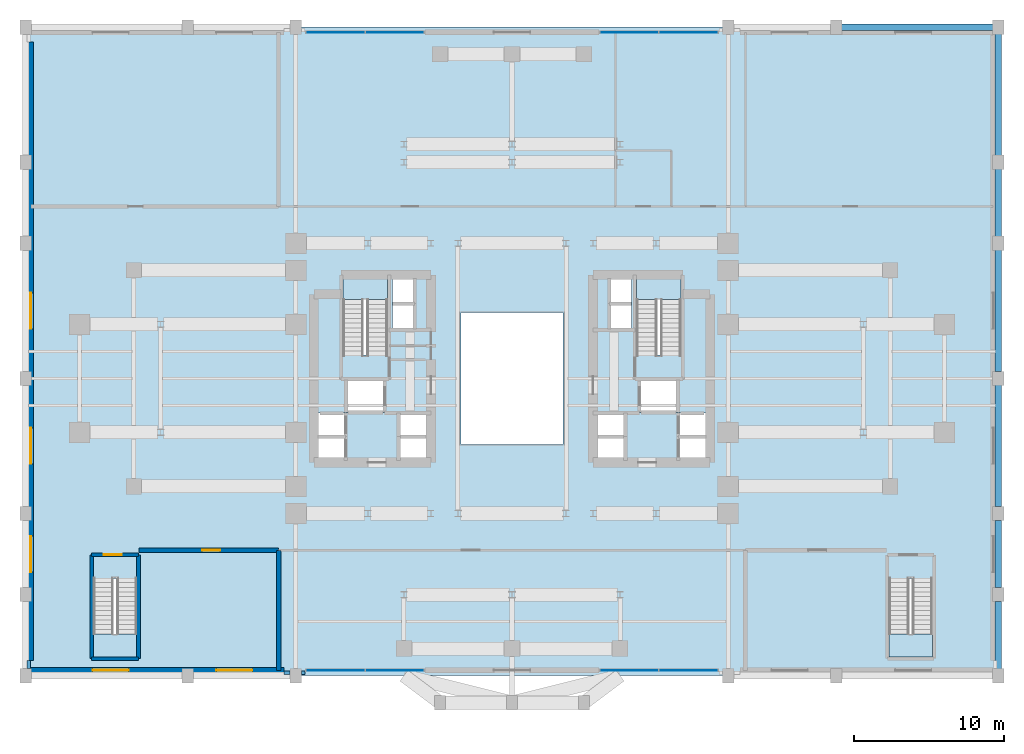
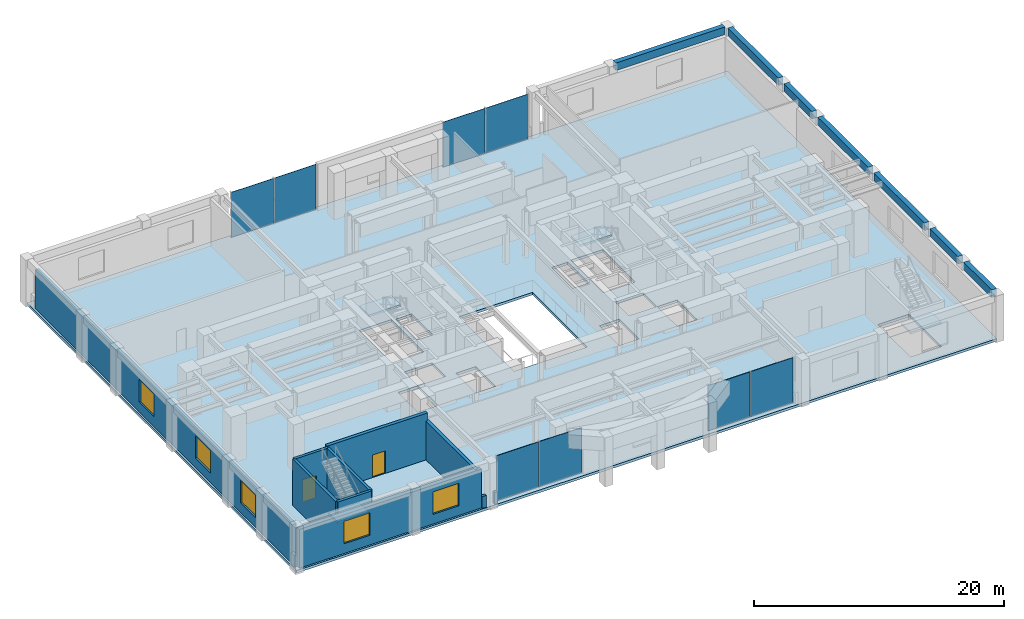
# One storey, part 9 of 14: 11 walls, 8 plates, 7 beams, 5 slabs, 5 windows, 2 doors, 7 openings, 8 elements without a shape of their own.
"""IFC4 building model written with IfcOpenShell, lengths in metres."""

from ifc_helpers import new_model, si_unit, direction, frame, frame_2d, origin, origin_2d, place, context, subcontext, project, spatial, polyline, rectangle, outline, extrude, source, transform, mapped, material, layer, layer_set, material_profile, profile_set, type_object, element, fill, aggregate, save


model = new_model("IFC4")

# Units and contexts
model_context = context("Model", 3, precision=1e-05, world=origin(), true_north=direction((0.0, 1.0)))
body_context = subcontext(model_context, "Body", "Model", "MODEL_VIEW")
ifc_project = project(units=[si_unit("LENGTHUNIT", "METRE"), si_unit("AREAUNIT", "SQUARE_METRE"), si_unit("VOLUMEUNIT", "CUBIC_METRE"), si_unit("PLANEANGLEUNIT", "RADIAN"), si_unit("MASSUNIT", "GRAM", prefix="KILO")], contexts=[model_context])

# Site, building, storey
site_placement = place(None, origin())
site = spatial("IfcSite", under=ifc_project, at=site_placement, CompositionType="ELEMENT")
building_placement = place(site_placement, origin())
building = spatial("IfcBuilding", under=site, at=building_placement, Name="Keilestroom Media Tower", CompositionType="ELEMENT")
storey_placement = place(building_placement, frame((0.0, 0.0, 15.60009765625)))
storey = spatial("IfcBuildingStorey", under=building, at=storey_placement, Name="L03", CompositionType="ELEMENT", Elevation=15.60009765625)

# Beams
ifc_material_1 = material(Name="Precast concrete C40/50", Category="concrete")
ifc_material_profile = material_profile(ifc_material_1, rectangle(XDim=0.449951171875, YDim=0.75, at=origin_2d()), Name="PC 450x750")
ifc_profile_set = profile_set([ifc_material_profile], Name="Precast concrete C40/50")
beam_type = type_object("IfcBeamType", Name="Perimeter-Spandrel-Beam-PC-450x750", PredefinedType="SPANDREL", material=ifc_profile_set)
shared_shape_1 = source(origin(), body_context, "Body", "SweptSolid", [
    extrude(rectangle(XDim=0.449951171875, YDim=0.75, at=origin_2d()), origin(), (0.0, 0.0, 1.0), 10.08984375),
])
beam_1_placement = place(storey_placement, frame((21.955078125, 23.39990234375, 4.1748046875), z_axis=(1.0, 0.0, 0.0), x_axis=(0.0, 1.0, 0.0)))
element("IfcBeam", 1, at=beam_1_placement, inside=storey, type_object=beam_type, Name="L03 Beam SPB-1 BM-L03-EW-044", PredefinedType="SPANDREL", context=body_context, shape_type="MappedRepresentation", body=[
    mapped(shared_shape_1, transform((0.0, 0.0, 0.0), x_axis=(1.0, 0.0, 0.0), y_axis=(0.0, 1.0, 0.0), z_axis=(0.0, 0.0, 1.0), scale=1.0)),
])
shared_shape_2 = source(origin(), body_context, "Body", "SweptSolid", [
    extrude(rectangle(XDim=0.449951171875, YDim=0.75, at=origin_2d()), origin(), (0.0, 0.0, 1.0), 4.489990234375),
])
for number, where, z_axis, x_axis, name in (
    (2, (32.39990234375, -19.344970703125, 4.1748046875), (0.0, 1.0, 0.0), (-1.0, 0.0, 0.0), "L03 Beam SPB-1 BM-L03-NS-085"),
    (3, (32.39990234375, -13.945068359375, 4.1748046875), (0.0, 1.0, 0.0), (-1.0, 0.0, 0.0), "L03 Beam SPB-1 BM-L03-NS-086"),
    (4, (32.39990234375, 9.455078125, 4.1748046875), (0.0, 1.0, 0.0), (-1.0, 0.0, 0.0), "L03 Beam SPB-1 BM-L03-NS-089"),
):
    element("IfcBeam", number, at=place(storey_placement, frame(where, z_axis=z_axis, x_axis=x_axis)), inside=storey, type_object=beam_type, Name=name, PredefinedType="SPANDREL", context=body_context, shape_type="MappedRepresentation", body=[
        mapped(shared_shape_2, transform((0.0, 0.0, 0.0), x_axis=(1.0, 0.0, 0.0), y_axis=(0.0, 1.0, 0.0), z_axis=(0.0, 0.0, 1.0), scale=1.0)),
    ])
shared_shape_3 = source(origin(), body_context, "Body", "SweptSolid", [
    extrude(rectangle(XDim=0.449951171875, YDim=0.75, at=origin_2d()), origin(), (0.0, 0.0, 1.0), 8.08984375),
])
for number, where, z_axis, x_axis, name in (
    (5, (32.39990234375, -8.544921875, 4.1748046875), (0.0, 1.0, 0.0), (-1.0, 0.0, 0.0), "L03 Beam SPB-1 BM-L03-NS-087"),
    (6, (32.39990234375, 0.455078125, 4.1748046875), (0.0, 1.0, 0.0), (-1.0, 0.0, 0.0), "L03 Beam SPB-1 BM-L03-NS-088"),
):
    element("IfcBeam", number, at=place(storey_placement, frame(where, z_axis=z_axis, x_axis=x_axis)), inside=storey, type_object=beam_type, Name=name, PredefinedType="SPANDREL", context=body_context, shape_type="MappedRepresentation", body=[
        mapped(shared_shape_3, transform((0.0, 0.0, 0.0), x_axis=(1.0, 0.0, 0.0), y_axis=(0.0, 1.0, 0.0), z_axis=(0.0, 0.0, 1.0), scale=1.0)),
    ])
shared_shape_4 = source(origin(), body_context, "Body", "SweptSolid", [
    extrude(rectangle(XDim=0.449951171875, YDim=0.75, at=origin_2d()), origin(), (0.0, 0.0, 1.0), 8.090087890625),
])
beam_2_placement = place(storey_placement, frame((32.39990234375, 14.85498046875, 4.1748046875), z_axis=(0.0, 1.0, 0.0), x_axis=(-1.0, 0.0, 0.0)))
element("IfcBeam", 7, at=beam_2_placement, inside=storey, type_object=beam_type, Name="L03 Beam SPB-1 BM-L03-NS-090", PredefinedType="SPANDREL", context=body_context, shape_type="MappedRepresentation", body=[
    mapped(shared_shape_4, transform((0.0, 0.0, 0.0), x_axis=(1.0, 0.0, 0.0), y_axis=(0.0, 1.0, 0.0), z_axis=(0.0, 0.0, 1.0), scale=1.0)),
])

# Slab
ifc_material_2 = material(Name="Concrete C50/60", Category="concrete")
ifc_layer_1 = layer(ifc_material_2, 0.25)
ifc_layer_set_1 = layer_set([ifc_layer_1], Name="Concrete C50/60")
slab_type_1 = type_object("IfcSlabType", Name="Composite-Floor-Slab-250", PredefinedType="FLOOR", material=ifc_layer_set_1)
slab_1_placement = place(storey_placement, frame((0.0, 0.0, -0.25)))
element("IfcSlab", 8, at=slab_1_placement, inside=storey, type_object=slab_type_1, Name="L03 Structural Composite Floor Slab", PredefinedType="FLOOR", context=body_context, shape_type="SweptSolid", body=[
    extrude(outline(polyline([(-32.39990234375, -19.800048828125), (32.39990234375, -19.800048828125), (32.39990234375, 23.39990234375), (-32.39990234375, 23.39990234375), (-32.39990234375, -19.800048828125)]), holes=[polyline([(-27.8798828125, -18.550048828125), (-27.8798828125, -13.3349609375), (-25.0, -13.3349609375), (-25.0, -18.550048828125), (-27.8798828125, -18.550048828125)]), polyline([(-12.919921875, -5.47998046875), (-12.919921875, -2.320068359375), (-11.080078125, -2.320068359375), (-11.080078125, -5.47998046875), (-12.919921875, -5.47998046875)]), polyline([(-11.260009765625, 6.760009765625), (-8.300048828125, 6.760009765625), (-8.300048828125, 1.544921875), (-11.260009765625, 1.544921875), (-11.260009765625, 6.760009765625)]), polyline([(-11.050048828125, -2.280029296875), (-11.050048828125, -0.10009765625), (-8.47998046875, -0.10009765625), (-8.47998046875, -2.280029296875), (-11.050048828125, -2.280029296875)]), polyline([(-7.949951171875, 6.64990234375), (-6.47998046875, 6.64990234375), (-6.47998046875, 3.300048828125), (-7.949951171875, 3.300048828125), (-7.949951171875, 6.64990234375)]), polyline([(-5.719970703125, -5.47998046875), (-7.56005859375, -5.47998046875), (-7.56005859375, -2.320068359375), (-5.719970703125, -2.320068359375), (-5.719970703125, -5.47998046875)]), polyline([(-3.39990234375, -4.39990234375), (-3.39990234375, 4.39990234375), (3.39990234375, 4.39990234375), (3.39990234375, -4.39990234375), (-3.39990234375, -4.39990234375)]), polyline([(7.56005859375, -2.320068359375), (7.56005859375, -5.47998046875), (5.719970703125, -5.47998046875), (5.719970703125, -2.320068359375), (7.56005859375, -2.320068359375)]), polyline([(7.949951171875, 6.64990234375), (7.949951171875, 3.300048828125), (6.47998046875, 3.300048828125), (6.47998046875, 6.64990234375), (7.949951171875, 6.64990234375)]), polyline([(8.300048828125, 6.760009765625), (11.260009765625, 6.760009765625), (11.260009765625, 1.544921875), (8.300048828125, 1.544921875), (8.300048828125, 6.760009765625)]), polyline([(8.47998046875, -2.280029296875), (8.47998046875, -0.10009765625), (11.050048828125, -0.10009765625), (11.050048828125, -2.280029296875), (8.47998046875, -2.280029296875)]), polyline([(11.080078125, -2.320068359375), (12.919921875, -2.320068359375), (12.919921875, -5.47998046875), (11.080078125, -5.47998046875), (11.080078125, -2.320068359375)]), polyline([(25.1201171875, -18.550048828125), (25.1201171875, -13.3349609375), (28.0, -13.3349609375), (28.0, -18.550048828125), (25.1201171875, -18.550048828125)])]), origin(), (0.0, 0.0, 1.0), 0.25),
])

# Stair, slab
ifc_material_3 = material(Name="Concrete C45/55", Category="concrete")
stair_type_1 = type_object("IfcStairType", Name="Enclosed-Dog-Leg-Stair-ST-CORE", PredefinedType="HALF_TURN_STAIR", material=ifc_material_3)
stair_1_placement = place(storey_placement, origin())
stair_1 = element("IfcStair", 9, at=stair_1_placement, inside=storey, type_object=stair_type_1, Name="L03 West Core Escape Stair ST-1", PredefinedType="HALF_TURN_STAIR")
ifc_layer_2 = layer(ifc_material_3, 0.199951171875)
ifc_layer_set_2 = layer_set([ifc_layer_2], Name="Concrete C45/55")
slab_type_2 = type_object("IfcSlabType", Name="Stair-Intermediate-And-Top-Landing-Slab-200", PredefinedType="LANDING", material=ifc_layer_set_2)
slab_2_placement = place(storey_placement, frame((0.0, 0.0, 2.199951171875)))
slab_2 = element("IfcSlab", 10, at=slab_2_placement, type_object=slab_type_2, Name="ST-1 landing 1", PredefinedType="LANDING", context=body_context, shape_type="SweptSolid", body=[
    extrude(outline(polyline([(-8.300048828125, 5.243896484375), (-8.300048828125, 6.760009765625), (-11.260009765625, 6.760009765625), (-11.260009765625, 5.243896484375), (-8.300048828125, 5.243896484375)])), origin(), (0.0, 0.0, 1.0), 0.199951171875),
])
aggregate(stair_1, [slab_2])

stair_2_placement = place(storey_placement, origin())
stair_2 = element("IfcStair", 11, at=stair_2_placement, inside=storey, type_object=stair_type_1, Name="L03 East Core Escape Stair ST-2", PredefinedType="HALF_TURN_STAIR")
slab_3_placement = place(storey_placement, frame((0.0, 0.0, 2.199951171875)))
slab_3 = element("IfcSlab", 12, at=slab_3_placement, type_object=slab_type_2, Name="ST-2 landing 1", PredefinedType="LANDING", context=body_context, shape_type="SweptSolid", body=[
    extrude(outline(polyline([(11.260009765625, 5.243896484375), (11.260009765625, 6.760009765625), (8.300048828125, 6.760009765625), (8.300048828125, 5.243896484375), (11.260009765625, 5.243896484375)])), origin(), (0.0, 0.0, 1.0), 0.199951171875),
])
aggregate(stair_2, [slab_3])

stair_type_2 = type_object("IfcStairType", Name="Enclosed-Dog-Leg-Stair-ST-POD", PredefinedType="HALF_TURN_STAIR", material=ifc_material_3)
stair_3_placement = place(storey_placement, origin())
stair_3 = element("IfcStair", 13, at=stair_3_placement, inside=storey, type_object=stair_type_2, Name="L03 Podium West Studio Escape Stair ST-3", PredefinedType="HALF_TURN_STAIR")
slab_4_placement = place(storey_placement, frame((0.0, 0.0, 2.199951171875)))
slab_4 = element("IfcSlab", 14, at=slab_4_placement, type_object=slab_type_2, Name="ST-3 landing 1", PredefinedType="LANDING", context=body_context, shape_type="SweptSolid", body=[
    extrude(outline(polyline([(-27.8798828125, -17.033935546875), (-27.8798828125, -18.550048828125), (-25.0, -18.550048828125), (-25.0, -17.033935546875), (-27.8798828125, -17.033935546875)])), origin(), (0.0, 0.0, 1.0), 0.199951171875),
])
aggregate(stair_3, [slab_4])

stair_4_placement = place(storey_placement, origin())
stair_4 = element("IfcStair", 15, at=stair_4_placement, inside=storey, type_object=stair_type_2, Name="L03 Podium East Studio Escape Stair ST-4", PredefinedType="HALF_TURN_STAIR")
slab_5_placement = place(storey_placement, frame((0.0, 0.0, 2.199951171875)))
slab_5 = element("IfcSlab", 16, at=slab_5_placement, type_object=slab_type_2, Name="ST-4 landing 1", PredefinedType="LANDING", context=body_context, shape_type="SweptSolid", body=[
    extrude(outline(polyline([(25.1201171875, -17.033935546875), (25.1201171875, -18.550048828125), (28.0, -18.550048828125), (28.0, -17.033935546875), (25.1201171875, -17.033935546875)])), origin(), (0.0, 0.0, 1.0), 0.199951171875),
])
aggregate(stair_4, [slab_5])

# Curtain wall, plates
ifc_material_4 = material(Name="Anodised Aluminium Alloy", Category="aluminium")
curtain_wall_type = type_object("IfcCurtainWallType", Name="Unitised-Curtain-Wall-CW-5", PredefinedType="NOTDEFINED", material=ifc_material_4)
curtain_wall_1_placement = place(storey_placement, origin())
curtain_wall_1 = element("IfcCurtainWall", 17, at=curtain_wall_1_placement, inside=storey, type_object=curtain_wall_type, Name="L03 Curtain Wall CW-5 CW-L03-S-ATR", PredefinedType="NOTDEFINED")
ifc_material_5 = material(Name="Acoustic Laminated Low-Iron Glazing", Category="glass")
ifc_layer_3 = layer(ifc_material_5, 0.0400390625)
ifc_layer_set_3 = layer_set([ifc_layer_3], Name="Acoustic Laminated Low-Iron Glazing")
plate_type = type_object("IfcPlateType", Name="Insulated-Curtain-Wall-Glazing-Panel-CW-5", PredefinedType="CURTAIN_PANEL", material=ifc_layer_set_3)
shared_shape_5 = source(origin(), body_context, "Body", "SweptSolid", [
    extrude(rectangle(XDim=3.89306640625, YDim=0.0400390625, at=origin_2d()), origin(), (0.0, 0.0, 1.0), 4.404052734375),
])
plate_1_placement = place(storey_placement, frame((-11.767578125, -19.449951171875, 0.07275390625), z_axis=(0.0, 0.0, 1.0), x_axis=(1.0, 0.0, 0.0)))
plate_1 = element("IfcPlate", 18, at=plate_1_placement, type_object=plate_type, Name="CW-5 Unitised Glazing 00", PredefinedType="CURTAIN_PANEL", context=body_context, shape_type="MappedRepresentation", body=[
    mapped(shared_shape_5, transform((0.0, 0.0, 0.0), x_axis=(1.0, 0.0, 0.0), y_axis=(0.0, 1.0, 0.0), z_axis=(0.0, 0.0, 1.0), scale=1.0)),
])
plate_2_placement = place(storey_placement, frame((-7.8125, -19.449951171875, 0.07275390625), z_axis=(0.0, 0.0, 1.0), x_axis=(1.0, 0.0, 0.0)))
plate_2 = element("IfcPlate", 19, at=plate_2_placement, type_object=plate_type, Name="CW-5 Unitised Glazing 01", PredefinedType="CURTAIN_PANEL", context=body_context, shape_type="MappedRepresentation", body=[
    mapped(shared_shape_5, transform((0.0, 0.0, 0.0), x_axis=(1.0, 0.0, 0.0), y_axis=(0.0, 1.0, 0.0), z_axis=(0.0, 0.0, 1.0), scale=1.0)),
])
aggregate(curtain_wall_1, [plate_1, plate_2])

curtain_wall_2_placement = place(storey_placement, origin())
curtain_wall_2 = element("IfcCurtainWall", 20, at=curtain_wall_2_placement, inside=storey, type_object=curtain_wall_type, Name="L03 Curtain Wall CW-5 CW-L03-S-ATE", PredefinedType="NOTDEFINED")
plate_3_placement = place(storey_placement, frame((7.8125, -19.449951171875, 0.07275390625), z_axis=(0.0, 0.0, 1.0), x_axis=(1.0, 0.0, 0.0)))
plate_3 = element("IfcPlate", 21, at=plate_3_placement, type_object=plate_type, Name="CW-5 Unitised Glazing 00", PredefinedType="CURTAIN_PANEL", context=body_context, shape_type="MappedRepresentation", body=[
    mapped(shared_shape_5, transform((0.0, 0.0, 0.0), x_axis=(1.0, 0.0, 0.0), y_axis=(0.0, 1.0, 0.0), z_axis=(0.0, 0.0, 1.0), scale=1.0)),
])
plate_4_placement = place(storey_placement, frame((11.767578125, -19.449951171875, 0.07275390625), z_axis=(0.0, 0.0, 1.0), x_axis=(1.0, 0.0, 0.0)))
plate_4 = element("IfcPlate", 22, at=plate_4_placement, type_object=plate_type, Name="CW-5 Unitised Glazing 01", PredefinedType="CURTAIN_PANEL", context=body_context, shape_type="MappedRepresentation", body=[
    mapped(shared_shape_5, transform((0.0, 0.0, 0.0), x_axis=(1.0, 0.0, 0.0), y_axis=(0.0, 1.0, 0.0), z_axis=(0.0, 0.0, 1.0), scale=1.0)),
])
aggregate(curtain_wall_2, [plate_3, plate_4])

curtain_wall_3_placement = place(storey_placement, origin())
curtain_wall_3 = element("IfcCurtainWall", 23, at=curtain_wall_3_placement, inside=storey, type_object=curtain_wall_type, Name="L03 Curtain Wall CW-5 CW-L03-N-ATW", PredefinedType="NOTDEFINED")
plate_5_placement = place(storey_placement, frame((-11.767578125, 23.050048828125, 0.07275390625), z_axis=(0.0, 0.0, 1.0), x_axis=(1.0, 0.0, 0.0)))
plate_5 = element("IfcPlate", 24, at=plate_5_placement, type_object=plate_type, Name="CW-5 Unitised Glazing 00", PredefinedType="CURTAIN_PANEL", context=body_context, shape_type="MappedRepresentation", body=[
    mapped(shared_shape_5, transform((0.0, 0.0, 0.0), x_axis=(1.0, 0.0, 0.0), y_axis=(0.0, 1.0, 0.0), z_axis=(0.0, 0.0, 1.0), scale=1.0)),
])
plate_6_placement = place(storey_placement, frame((-7.8125, 23.050048828125, 0.07275390625), z_axis=(0.0, 0.0, 1.0), x_axis=(1.0, 0.0, 0.0)))
plate_6 = element("IfcPlate", 25, at=plate_6_placement, type_object=plate_type, Name="CW-5 Unitised Glazing 01", PredefinedType="CURTAIN_PANEL", context=body_context, shape_type="MappedRepresentation", body=[
    mapped(shared_shape_5, transform((0.0, 0.0, 0.0), x_axis=(1.0, 0.0, 0.0), y_axis=(0.0, 1.0, 0.0), z_axis=(0.0, 0.0, 1.0), scale=1.0)),
])
aggregate(curtain_wall_3, [plate_5, plate_6])

curtain_wall_4_placement = place(storey_placement, origin())
curtain_wall_4 = element("IfcCurtainWall", 26, at=curtain_wall_4_placement, inside=storey, type_object=curtain_wall_type, Name="L03 Curtain Wall CW-5 CW-L03-N-ATE", PredefinedType="NOTDEFINED")
plate_7_placement = place(storey_placement, frame((7.8125, 23.050048828125, 0.07275390625), z_axis=(0.0, 0.0, 1.0), x_axis=(1.0, 0.0, 0.0)))
plate_7 = element("IfcPlate", 27, at=plate_7_placement, type_object=plate_type, Name="CW-5 Unitised Glazing 00", PredefinedType="CURTAIN_PANEL", context=body_context, shape_type="MappedRepresentation", body=[
    mapped(shared_shape_5, transform((0.0, 0.0, 0.0), x_axis=(1.0, 0.0, 0.0), y_axis=(0.0, 1.0, 0.0), z_axis=(0.0, 0.0, 1.0), scale=1.0)),
])
plate_8_placement = place(storey_placement, frame((11.767578125, 23.050048828125, 0.07275390625), z_axis=(0.0, 0.0, 1.0), x_axis=(1.0, 0.0, 0.0)))
plate_8 = element("IfcPlate", 28, at=plate_8_placement, type_object=plate_type, Name="CW-5 Unitised Glazing 01", PredefinedType="CURTAIN_PANEL", context=body_context, shape_type="MappedRepresentation", body=[
    mapped(shared_shape_5, transform((0.0, 0.0, 0.0), x_axis=(1.0, 0.0, 0.0), y_axis=(0.0, 1.0, 0.0), z_axis=(0.0, 0.0, 1.0), scale=1.0)),
])
aggregate(curtain_wall_4, [plate_7, plate_8])

# Wall, opening, door
ifc_layer_4 = layer(ifc_material_3, 0.300048828125)
ifc_layer_set_4 = layer_set([ifc_layer_4], Name="Concrete C45/55")
wall_type_1 = type_object("IfcWallType", Name="Acoustic-Studio-Isolation-Wall-300", PredefinedType="SOLIDWALL", material=ifc_layer_set_4)
wall_1_placement = place(storey_placement, frame((-24.840087890625, -11.449951171875, 0.0), z_axis=(0.0, 0.0, 1.0), x_axis=(1.0, 0.0, 0.0)))
wall_1 = element("IfcWall", 29, at=wall_1_placement, inside=storey, type_object=wall_type_1, Name="L03 Interior Wall WP-L03-STD-SW-N", PredefinedType="SOLIDWALL", context=body_context, shape_type="SweptSolid", body=[
    extrude(rectangle(XDim=9.2900390625, YDim=0.300048828125, at=frame_2d((4.64501953125, 0.0))), origin(), (0.0, 0.0, 1.0), 4.5498046875),
])
opening_1_placement = place(wall_1_placement, frame((4.199951171875, 0.0, 0.0)))
opening_1 = element("IfcOpeningElement", 30, at=opening_1_placement, cuts=wall_1, Name="Opening DI-02", PredefinedType="OPENING", context=body_context, shape_type="SweptSolid", body=[
    extrude(rectangle(XDim=1.199951171875, YDim=2.199951171875, at=frame_2d((0.60009765625, 1.10009765625))), frame((0.0, 0.16015625, 0.0), z_axis=(0.0, -1.0, 0.0), x_axis=(1.0, 0.0, 0.0)), (0.0, 0.0, 1.0), 0.320068359375),
])
ifc_material_6 = material(Name="Powder-Coated Steel Fire Leaf", Category="steel")
door_type_1 = type_object("IfcDoorType", Name="Interior-Compartment-Fire-Door-DI-02", OperationType="NOTDEFINED", PredefinedType="DOOR", material=ifc_material_6)
shared_shape_6 = source(origin(), body_context, "Body", "SweptSolid", [
    extrude(rectangle(XDim=1.199951171875, YDim=2.199951171875, at=frame_2d((0.60009765625, 1.10009765625))), frame((0.0, 0.02490234375, 0.0), z_axis=(0.0, -1.0, 0.0), x_axis=(1.0, 0.0, 0.0)), (0.0, 0.0, 1.0), 0.050048828125),
])
door_1_placement = place(opening_1_placement, origin())
door_1 = element("IfcDoor", 31, at=door_1_placement, inside=storey, type_object=door_type_1, Name="L03 Interior Door DI-L03-STD-SW-D", OperationType="SINGLE_SWING_LEFT", OverallHeight=2.199951171875, OverallWidth=1.199951171875, PredefinedType="DOOR", context=body_context, shape_type="MappedRepresentation", body=[
    mapped(shared_shape_6, transform((0.0, 0.0, 0.0), x_axis=(1.0, 0.0, 0.0), y_axis=(0.0, 1.0, 0.0), z_axis=(0.0, 0.0, 1.0), scale=1.0)),
])
fill(opening_1, door_1)

# Wall
wall_2_placement = place(storey_placement, frame((-15.550048828125, -19.449951171875, 0.0), z_axis=(0.0, 0.0, 1.0), x_axis=(0.0, 1.0, 0.0)))
element("IfcWall", 32, at=wall_2_placement, inside=storey, type_object=wall_type_1, Name="L03 Interior Wall WP-L03-STD-SW-E", PredefinedType="SOLIDWALL", context=body_context, shape_type="SweptSolid", body=[
    extrude(rectangle(XDim=8.0, YDim=0.300048828125, at=frame_2d((4.0, 0.0))), origin(), (0.0, 0.0, 1.0), 3.7998046875),
])

# Wall, openings, windows
ifc_layer_5 = layer(ifc_material_1, 0.3798828125)
ifc_layer_set_5 = layer_set([ifc_layer_5], Name="Precast concrete C40/50")
wall_type_2 = type_object("IfcWallType", Name="Exterior-Masonry-Spandrel-Wall-380", PredefinedType="SOLIDWALL", material=ifc_layer_set_5)
wall_3_placement = place(storey_placement, frame((-32.050048828125, -19.449951171875, 0.0), z_axis=(0.0, 0.0, 1.0), x_axis=(1.0, 0.0, 0.0)))
wall_3 = element("IfcWall", 33, at=wall_3_placement, inside=storey, type_object=wall_type_2, Name="L03 Podium Precast Masonry Wall EWL-L03-S-W", PredefinedType="SOLIDWALL", context=body_context, shape_type="SweptSolid", body=[
    extrude(rectangle(XDim=16.85009765625, YDim=0.3798828125, at=frame_2d((8.425048828125, 0.0))), origin(), (0.0, 0.0, 1.0), 3.7998046875),
])
opening_2_placement = place(wall_3_placement, frame((4.112060546875, 0.0, 0.949951171875)))
opening_2 = element("IfcOpeningElement", 34, at=opening_2_placement, cuts=wall_3, Name="Opening WN-02", PredefinedType="OPENING", context=body_context, shape_type="SweptSolid", body=[
    extrude(rectangle(XDim=2.39990234375, YDim=2.199951171875, at=frame_2d((1.199951171875, 1.10009765625))), frame((0.0, 0.199951171875, 0.0), z_axis=(0.0, -1.0, 0.0), x_axis=(1.0, 0.0, 0.0)), (0.0, 0.0, 1.0), 0.39990234375),
])
opening_3_placement = place(wall_3_placement, frame((12.362060546875, 0.0, 0.949951171875)))
opening_3 = element("IfcOpeningElement", 35, at=opening_3_placement, cuts=wall_3, Name="Opening WN-02", PredefinedType="OPENING", context=body_context, shape_type="SweptSolid", body=[
    extrude(rectangle(XDim=2.39990234375, YDim=2.199951171875, at=frame_2d((1.199951171875, 1.10009765625))), frame((0.0, 0.199951171875, 0.0), z_axis=(0.0, -1.0, 0.0), x_axis=(1.0, 0.0, 0.0)), (0.0, 0.0, 1.0), 0.39990234375),
])
ifc_material_7 = material(Name="Triple Glazed Low-E Window Unit", Category="glass")
window_type = type_object("IfcWindowType", Name="Recessed-Punched-Window-WN-02", PartitioningType="DOUBLE_PANEL_VERTICAL", PredefinedType="WINDOW", material=ifc_material_7)
shared_shape_7 = source(origin(), body_context, "Body", "SweptSolid", [
    extrude(rectangle(XDim=2.39990234375, YDim=2.199951171875, at=frame_2d((1.199951171875, 1.10009765625))), frame((0.0, 0.030029296875, 0.0), z_axis=(0.0, -1.0, 0.0), x_axis=(1.0, 0.0, 0.0)), (0.0, 0.0, 1.0), 0.06005859375),
])
window_1_placement = place(opening_2_placement, origin())
window_1 = element("IfcWindow", 36, at=window_1_placement, inside=storey, type_object=window_type, Name="L03 Window WN-02 EWL-L03-S-W-1", OverallHeight=2.199951171875, OverallWidth=2.39990234375, PartitioningType="SINGLE_PANEL", PredefinedType="WINDOW", context=body_context, shape_type="MappedRepresentation", body=[
    mapped(shared_shape_7, transform((0.0, 0.0, 0.0), x_axis=(1.0, 0.0, 0.0), y_axis=(0.0, 1.0, 0.0), z_axis=(0.0, 0.0, 1.0), scale=1.0)),
])
fill(opening_2, window_1)
window_2_placement = place(opening_3_placement, origin())
window_2 = element("IfcWindow", 37, at=window_2_placement, inside=storey, type_object=window_type, Name="L03 Window WN-02 EWL-L03-S-W-2", OverallHeight=2.199951171875, OverallWidth=2.39990234375, PartitioningType="SINGLE_PANEL", PredefinedType="WINDOW", context=body_context, shape_type="MappedRepresentation", body=[
    mapped(shared_shape_7, transform((0.0, 0.0, 0.0), x_axis=(1.0, 0.0, 0.0), y_axis=(0.0, 1.0, 0.0), z_axis=(0.0, 0.0, 1.0), scale=1.0)),
])
fill(opening_3, window_2)

wall_4_placement = place(storey_placement, frame((-32.050048828125, -18.800048828125, 0.0), z_axis=(0.0, 0.0, 1.0), x_axis=(0.0, 1.0, 0.0)))
wall_4 = element("IfcWall", 38, at=wall_4_placement, inside=storey, type_object=wall_type_2, Name="L03 Podium Precast Masonry Wall EWL-L03-W-M", PredefinedType="SOLIDWALL", context=body_context, shape_type="SweptSolid", body=[
    extrude(rectangle(XDim=41.199951171875, YDim=0.3798828125, at=frame_2d((20.60009765625, 0.0))), origin(), (0.0, 0.0, 1.0), 3.7998046875),
])
opening_4_placement = place(wall_4_placement, frame((5.89990234375, 0.0, 0.949951171875)))
opening_4 = element("IfcOpeningElement", 39, at=opening_4_placement, cuts=wall_4, Name="Opening WN-02", PredefinedType="OPENING", context=body_context, shape_type="SweptSolid", body=[
    extrude(rectangle(XDim=2.39990234375, YDim=2.199951171875, at=frame_2d((1.199951171875, 1.10009765625))), frame((0.0, 0.199951171875, 0.0), z_axis=(0.0, -1.0, 0.0), x_axis=(1.0, 0.0, 0.0)), (0.0, 0.0, 1.0), 0.39990234375),
])
opening_5_placement = place(wall_4_placement, frame((13.10009765625, 0.0, 0.949951171875)))
opening_5 = element("IfcOpeningElement", 40, at=opening_5_placement, cuts=wall_4, Name="Opening WN-02", PredefinedType="OPENING", context=body_context, shape_type="SweptSolid", body=[
    extrude(rectangle(XDim=2.39990234375, YDim=2.199951171875, at=frame_2d((1.199951171875, 1.10009765625))), frame((0.0, 0.199951171875, 0.0), z_axis=(0.0, -1.0, 0.0), x_axis=(1.0, 0.0, 0.0)), (0.0, 0.0, 1.0), 0.39990234375),
])
opening_6_placement = place(wall_4_placement, frame((22.10009765625, 0.0, 0.949951171875)))
opening_6 = element("IfcOpeningElement", 41, at=opening_6_placement, cuts=wall_4, Name="Opening WN-02", PredefinedType="OPENING", context=body_context, shape_type="SweptSolid", body=[
    extrude(rectangle(XDim=2.39990234375, YDim=2.199951171875, at=frame_2d((1.199951171875, 1.10009765625))), frame((0.0, 0.199951171875, 0.0), z_axis=(0.0, -1.0, 0.0), x_axis=(1.0, 0.0, 0.0)), (0.0, 0.0, 1.0), 0.39990234375),
])
window_3_placement = place(opening_4_placement, origin())
window_3 = element("IfcWindow", 42, at=window_3_placement, inside=storey, type_object=window_type, Name="L03 Window WN-02 EWL-L03-W-M-1", OverallHeight=2.199951171875, OverallWidth=2.39990234375, PartitioningType="SINGLE_PANEL", PredefinedType="WINDOW", context=body_context, shape_type="MappedRepresentation", body=[
    mapped(shared_shape_7, transform((0.0, 0.0, 0.0), x_axis=(1.0, 0.0, 0.0), y_axis=(0.0, 1.0, 0.0), z_axis=(0.0, 0.0, 1.0), scale=1.0)),
])
fill(opening_4, window_3)
window_4_placement = place(opening_5_placement, origin())
window_4 = element("IfcWindow", 43, at=window_4_placement, inside=storey, type_object=window_type, Name="L03 Window WN-02 EWL-L03-W-M-2", OverallHeight=2.199951171875, OverallWidth=2.39990234375, PartitioningType="SINGLE_PANEL", PredefinedType="WINDOW", context=body_context, shape_type="MappedRepresentation", body=[
    mapped(shared_shape_7, transform((0.0, 0.0, 0.0), x_axis=(1.0, 0.0, 0.0), y_axis=(0.0, 1.0, 0.0), z_axis=(0.0, 0.0, 1.0), scale=1.0)),
])
fill(opening_5, window_4)
window_5_placement = place(opening_6_placement, origin())
window_5 = element("IfcWindow", 44, at=window_5_placement, inside=storey, type_object=window_type, Name="L03 Window WN-02 EWL-L03-W-M-3", OverallHeight=2.199951171875, OverallWidth=2.39990234375, PartitioningType="SINGLE_PANEL", PredefinedType="WINDOW", context=body_context, shape_type="MappedRepresentation", body=[
    mapped(shared_shape_7, transform((0.0, 0.0, 0.0), x_axis=(1.0, 0.0, 0.0), y_axis=(0.0, 1.0, 0.0), z_axis=(0.0, 0.0, 1.0), scale=1.0)),
])
fill(opening_6, window_5)

# Walls
ifc_layer_6 = layer(ifc_material_2, 0.25)
ifc_layer_set_6 = layer_set([ifc_layer_6], Name="Concrete C50/60")
wall_type_3 = type_object("IfcWallType", Name="Reinforced-Concrete-Shaft-Wall-250", PredefinedType="SOLIDWALL", material=ifc_layer_set_6)
for number, where, z_axis, x_axis, name in (
    (45, (-28.0009765625, -18.6708984375, 0.0), (0.0, 0.0, 1.0), (0.0, 1.0, 0.0), "L03 Core Shear Wall WL-L03-ST-3-W"),
    (46, (-24.87890625, -18.6708984375, 0.0), (0.0, 0.0, 1.0), (0.0, 1.0, 0.0), "L03 Core Shear Wall WL-L03-ST-3-E"),
):
    element("IfcWall", number, at=place(storey_placement, frame(where, z_axis=z_axis, x_axis=x_axis)), inside=storey, type_object=wall_type_3, Name=name, PredefinedType="SOLIDWALL", context=body_context, shape_type="SweptSolid", body=[
        extrude(rectangle(XDim=6.921875, YDim=0.25, at=frame_2d((3.4609375, 0.0))), origin(), (0.0, 0.0, 1.0), 4.5498046875),
    ])
wall_5_placement = place(storey_placement, frame((-28.0009765625, -18.6708984375, 0.0), z_axis=(0.0, 0.0, 1.0), x_axis=(1.0, 0.0, 0.0)))
element("IfcWall", 47, at=wall_5_placement, inside=storey, type_object=wall_type_3, Name="L03 Core Shear Wall WL-L03-ST-3-S", PredefinedType="SOLIDWALL", context=body_context, shape_type="SweptSolid", body=[
    extrude(rectangle(XDim=3.1220703125, YDim=0.25, at=frame_2d((1.56103515625, 0.0))), origin(), (0.0, 0.0, 1.0), 4.5498046875),
])

# Wall, opening, door
wall_6_placement = place(storey_placement, frame((-28.0009765625, -11.7490234375, 0.0), z_axis=(0.0, 0.0, 1.0), x_axis=(1.0, 0.0, 0.0)))
wall_6 = element("IfcWall", 48, at=wall_6_placement, inside=storey, type_object=wall_type_3, Name="L03 Core Shear Wall WL-L03-ST-3-N", PredefinedType="SOLIDWALL", context=body_context, shape_type="SweptSolid", body=[
    extrude(rectangle(XDim=3.1220703125, YDim=0.25, at=frame_2d((1.56103515625, 0.0))), origin(), (0.0, 0.0, 1.0), 4.5498046875),
])
opening_7_placement = place(wall_6_placement, frame((0.800048828125, 0.0, 0.0)))
opening_7 = element("IfcOpeningElement", 49, at=opening_7_placement, cuts=wall_6, Name="Opening DI-01S", PredefinedType="OPENING", context=body_context, shape_type="SweptSolid", body=[
    extrude(rectangle(XDim=1.199951171875, YDim=2.199951171875, at=frame_2d((0.60009765625, 1.10009765625))), frame((0.0, 0.135009765625, 0.0), z_axis=(0.0, -1.0, 0.0), x_axis=(1.0, 0.0, 0.0)), (0.0, 0.0, 1.0), 0.27001953125),
])
door_type_2 = type_object("IfcDoorType", Name="Interior-Stair-And-Core-Fire-Door-DI-01", OperationType="NOTDEFINED", PredefinedType="DOOR", material=ifc_material_6)
door_2_placement = place(opening_7_placement, origin())
door_2 = element("IfcDoor", 50, at=door_2_placement, inside=storey, type_object=door_type_2, Name="L03 Podium Stair ST-3 Fire Door", OperationType="SINGLE_SWING_LEFT", OverallHeight=2.199951171875, OverallWidth=1.199951171875, PredefinedType="DOOR", context=body_context, shape_type="MappedRepresentation", body=[
    mapped(shared_shape_6, transform((0.0, 0.0, 0.0), x_axis=(1.0, 0.0, 0.0), y_axis=(0.0, 1.0, 0.0), z_axis=(0.0, 0.0, 1.0), scale=1.0)),
])
fill(opening_7, door_2)

# Walls
ifc_layer_7 = layer(ifc_material_1, 0.239990234375)
ifc_layer_set_7 = layer_set([ifc_layer_7], Name="Precast concrete C40/50")
wall_type_4 = type_object("IfcWallType", Name="Roof-And-Terrace-Parapet-Wall-240", PredefinedType="PARAPET", material=ifc_layer_set_7)
wall_7_placement = place(storey_placement, frame((-32.199951171875, -19.322021484375, 0.0), z_axis=(0.0, 0.0, 1.0), x_axis=(0.0, 1.0, 0.0)))
element("IfcWall", 51, at=wall_7_placement, inside=storey, type_object=wall_type_4, Name="L03 Perimeter Edge Parapet Wall 01", PredefinedType="PARAPET", context=body_context, shape_type="SweptSolid", body=[
    extrude(rectangle(XDim=0.51904296875, YDim=0.239990234375, at=frame_2d((0.259521484375, 0.0))), origin(), (0.0, 0.0, 1.0), 1.14990234375),
])
wall_8_placement = place(storey_placement, frame((-13.782958984375, -19.60009765625, 0.0), z_axis=(0.0, 0.0, 1.0), x_axis=(-1.0, 0.0, 0.0)))
element("IfcWall", 52, at=wall_8_placement, inside=storey, type_object=wall_type_4, Name="L03 Perimeter Edge Parapet Wall 10", PredefinedType="PARAPET", context=body_context, shape_type="SweptSolid", body=[
    extrude(rectangle(XDim=0.239013671875, YDim=0.239990234375, at=frame_2d((0.11962890625, 0.0))), origin(), (0.0, 0.0, 1.0), 1.14990234375),
])
wall_9_placement = place(storey_placement, frame((-14.778076171875, -19.60009765625, 0.0), z_axis=(0.0, 0.0, 1.0), x_axis=(-1.0, 0.0, 0.0)))
element("IfcWall", 53, at=wall_9_placement, inside=storey, type_object=wall_type_4, Name="L03 Perimeter Edge Parapet Wall 11", PredefinedType="PARAPET", context=body_context, shape_type="SweptSolid", body=[
    extrude(rectangle(XDim=0.4189453125, YDim=0.239990234375, at=frame_2d((0.20947265625, 0.0))), origin(), (0.0, 0.0, 1.0), 1.14990234375),
])

save(model, "model.ifc")
